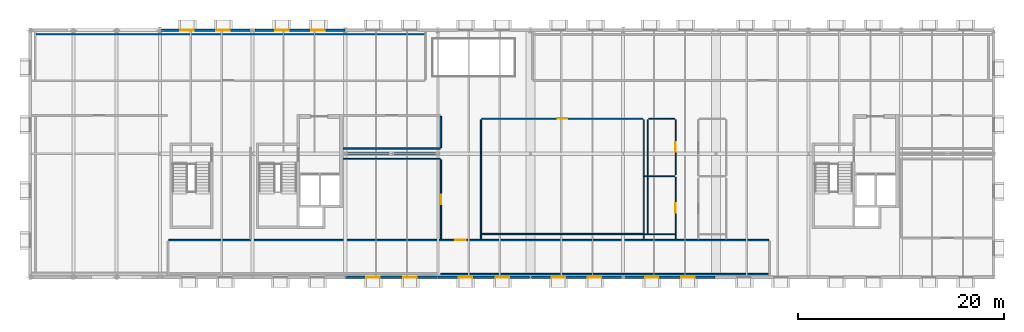
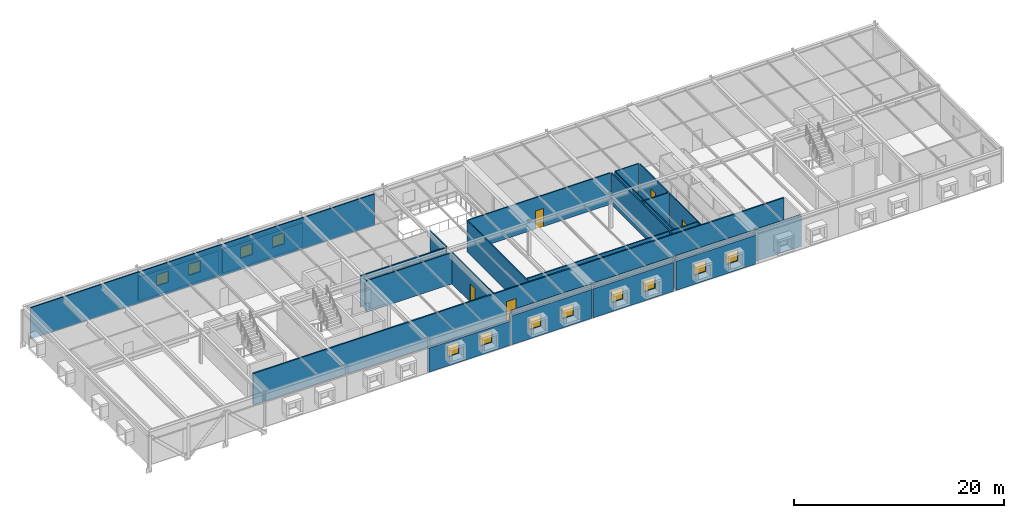
# One storey, part 12 of 17: 25 walls, 12 windows, 5 doors, 17 openings.
"""IFC4 building model written with IfcOpenShell, lengths in metres."""

import ifcopenshell
import ifcopenshell.guid

model = None  # the IFC model being written
_history = None  # IfcOwnerHistory: only IFC2X3 demands one
_inside = {}  # id of a spatial element -> (the spatial element, [elements in it])
_under = {}  # id of a project, library or spatial element -> (it, [spatial elements below it])
_declared = {}  # id of a project -> (the project, [libraries it declares])
_typed = {}  # id of a type object -> (the type object, [elements of that type])
_made_of = {}  # id of a material, layer set ... -> (it, [elements and type objects made of it])


def new_model(schema):
    """Start an empty IFC model of exactly this schema.

    Asked for "IFC4X3", IfcOpenShell would pick the latest addendum, in which some entities
    have other attributes; the version numbers below select the first issue.
    IFC2X3 requires an IfcOwnerHistory on every rooted entity: one is made here for all.
    """
    global model, _history
    if schema == "IFC4X3":
        model = ifcopenshell.file(schema_version=(4, 3, 0, 0))
    else:
        model = ifcopenshell.file(schema=schema)
    _inside.clear()
    _under.clear()
    _declared.clear()
    _typed.clear()
    _made_of.clear()
    _history = None
    if model.schema == "IFC2X3":
        org = make("IfcOrganization", Name="unknown")
        user = make(
            "IfcPersonAndOrganization",
            ThePerson=make("IfcPerson", FamilyName="unknown"),
            TheOrganization=org,
        )
        app = make(
            "IfcApplication",
            ApplicationDeveloper=org,
            Version="unknown",
            ApplicationFullName="unknown",
            ApplicationIdentifier="unknown",
        )
        _history = make(
            "IfcOwnerHistory",
            OwningUser=user,
            OwningApplication=app,
            ChangeAction="ADDED",
            CreationDate=0,
        )
    return model


def make(cls, **values):
    """One entity of the class cls with the attributes given. An attribute that is None is left unset."""
    return model.create_entity(
        cls, **{name: value for name, value in values.items() if value is not None}
    )


def rooted(cls, **values):
    """An entity with a GlobalId (a new one), such as an element, a storey or a relation."""
    return make(cls, GlobalId=ifcopenshell.guid.new(), OwnerHistory=_history, **values)


def si_unit(unit_type, name, prefix=None):
    """IfcSIUnit, for example si_unit("LENGTHUNIT", "METRE", prefix="MILLI")."""
    return make("IfcSIUnit", UnitType=unit_type, Prefix=prefix, Name=name)


def assignment(units):
    """IfcUnitAssignment: the units of a project."""
    return None if units is None else make("IfcUnitAssignment", Units=units)


def point(xyz):
    """IfcCartesianPoint."""
    return None if xyz is None else make("IfcCartesianPoint", Coordinates=xyz)


def direction(xyz):
    """IfcDirection."""
    return None if xyz is None else make("IfcDirection", DirectionRatios=xyz)


def frame(location, z_axis=None, x_axis=None):
    """IfcAxis2Placement3D, a coordinate frame: its origin and axes. An axis left out is left unset."""
    return make(
        "IfcAxis2Placement3D",
        Location=point(location),
        Axis=direction(z_axis),
        RefDirection=direction(x_axis),
    )


def frame_2d(location, x_axis=None):
    """IfcAxis2Placement2D, a coordinate frame in the plane: its origin and x axis."""
    return make(
        "IfcAxis2Placement2D", Location=point(location), RefDirection=direction(x_axis)
    )


def origin():
    """The frame at (0, 0, 0) with its axes left unset."""
    return frame((0.0, 0.0, 0.0))


def place(relative_to, where):
    """IfcLocalPlacement: puts the frame where relative to a parent placement (None: the world)."""
    return make(
        "IfcLocalPlacement", PlacementRelTo=relative_to, RelativePlacement=where
    )


def context(
    kind, dimensions, precision=None, world=None, true_north=None, identifier=None
):
    """IfcGeometricRepresentationContext, for example the 3D "Model" context."""
    return make(
        "IfcGeometricRepresentationContext",
        ContextIdentifier=identifier,
        ContextType=kind,
        CoordinateSpaceDimension=dimensions,
        Precision=precision,
        WorldCoordinateSystem=world,
        TrueNorth=true_north,
    )


def subcontext(parent, identifier, kind, view, scale=None):
    """IfcGeometricRepresentationSubContext, for example "Body" below "Model"."""
    return make(
        "IfcGeometricRepresentationSubContext",
        ContextIdentifier=identifier,
        ContextType=kind,
        ParentContext=parent,
        TargetScale=scale,
        TargetView=view,
    )


def project(units=None, contexts=None):
    """IfcProject with its units and contexts."""
    return rooted(
        "IfcProject",
        Name="project",
        RepresentationContexts=contexts,
        UnitsInContext=assignment(units),
    )


def spatial(cls, under=None, at=None, **own):
    """A site, building, storey or space (cls), placed at a placement, below another one or the project."""
    s = rooted(cls, ObjectPlacement=at, **own)
    if under is not None:
        _under.setdefault(under.id(), (under, []))[1].append(s)
    return s


def profile(cls, at=None, kind="AREA", **sizes):
    """A parametric profile (cls). Its sizes go by their IFC names, for example OverallWidth=200.0."""
    return make(cls, ProfileType=kind, Position=at, **sizes)


def rectangle(**sizes):
    """IfcRectangleProfileDef."""
    return profile("IfcRectangleProfileDef", **sizes)


def extrude(swept, where, along, depth):
    """IfcExtrudedAreaSolid: the profile swept, set in the frame where, extruded along a direction by depth."""
    return make(
        "IfcExtrudedAreaSolid",
        SweptArea=swept,
        Position=where,
        ExtrudedDirection=direction(along),
        Depth=depth,
    )


def shape(context_of_items, identifier, shape_type, items):
    """IfcShapeRepresentation: the items that make up one representation, for example the "Body"."""
    return make(
        "IfcShapeRepresentation",
        ContextOfItems=context_of_items,
        RepresentationIdentifier=identifier,
        RepresentationType=shape_type,
        Items=items,
    )


def material(Name=None, Category=None):
    """IfcMaterial."""
    return make("IfcMaterial", Name=Name, Category=Category)


def layer(
    of_material, thickness, ventilated=None, Name=None, Category=None, Priority=None
):
    """IfcMaterialLayer: one layer of a wall or slab, of a material (None: an air gap)."""
    return make(
        "IfcMaterialLayer",
        Material=of_material,
        LayerThickness=thickness,
        IsVentilated=ventilated,
        Name=Name,
        Category=Category,
        Priority=Priority,
    )


def layer_set(layers, Name=None):
    """IfcMaterialLayerSet."""
    return make("IfcMaterialLayerSet", MaterialLayers=layers, LayerSetName=Name)


def made_of(thing, what):
    """Note that an element or type object is made of a material, layer set ...; save() writes the relation."""
    if what is not None:
        _made_of.setdefault(what.id(), (what, []))[1].append(thing)
    return thing


def type_object(cls, material=None, **own):
    """A type object (cls), such as IfcWallType, which elements share."""
    return made_of(rooted(cls, **own), material)


def element(
    cls,
    number,
    at=None,
    inside=None,
    cuts=None,
    type_object=None,
    material=None,
    context=None,
    identifier="Body",
    shape_type=None,
    held_by="IfcProductDefinitionShape",
    body=None,
    shapes=None,
    **own,
):
    """One element of the class cls, such as IfcWall. Its Tag is "e" and its number.

    at: its placement. inside: the storey or other place that contains it. cuts: it is an
    opening in that element (IfcRelVoidsElement). A single representation is given by context,
    identifier, shape_type and body (its items); several are given by shapes. held_by: the class
    of the entity that holds the representations. save() writes the other relations.
    """
    e = rooted(cls, Tag="e%d" % number, ObjectPlacement=at, **own)
    if body is not None:
        shapes = [shape(context, identifier, shape_type, body)]
    if shapes is not None:
        e.Representation = make(held_by, Representations=shapes)
    if inside is not None:
        _inside.setdefault(inside.id(), (inside, []))[1].append(e)
    if cuts is not None:
        rooted(
            "IfcRelVoidsElement", RelatingBuildingElement=cuts, RelatedOpeningElement=e
        )
    if type_object is not None:
        _typed.setdefault(type_object.id(), (type_object, []))[1].append(e)
    return made_of(e, material)


def fill(opening, filler):
    """IfcRelFillsElement: the door or window that sits in an opening."""
    return rooted(
        "IfcRelFillsElement",
        RelatingOpeningElement=opening,
        RelatedBuildingElement=filler,
    )


def aggregate(whole, parts):
    """IfcRelAggregates: a whole, such as a stair, and the parts it consists of."""
    return rooted("IfcRelAggregates", RelatingObject=whole, RelatedObjects=parts)


def save(model, path):
    """Write the relations noted so far, then the file.

    IfcRelAggregates (storeys below a building ...), IfcRelContainedInSpatialStructure (elements
    in a storey), IfcRelDefinesByType, IfcRelAssociatesMaterial and IfcRelDeclares: one each for
    every whole, place, type object, material and project.
    """
    for whole, parts in _under.values():
        aggregate(whole, parts)
    for where, things in _inside.values():
        rooted(
            "IfcRelContainedInSpatialStructure",
            RelatedElements=things,
            RelatingStructure=where,
        )
    for kind, things in _typed.values():
        rooted("IfcRelDefinesByType", RelatedObjects=things, RelatingType=kind)
    for what, things in _made_of.values():
        rooted("IfcRelAssociatesMaterial", RelatedObjects=things, RelatingMaterial=what)
    for by, libraries in _declared.values():
        rooted("IfcRelDeclares", RelatingContext=by, RelatedDefinitions=libraries)
    model.write(path)


model = new_model("IFC4")

# Units and contexts
model_context = context("Model", 3, precision=1e-05, world=origin(), true_north=direction((0.0, 1.0)))
body_context = subcontext(model_context, "Body", "Model", "MODEL_VIEW")
ifc_project = project(units=[si_unit("LENGTHUNIT", "METRE"), si_unit("AREAUNIT", "SQUARE_METRE"), si_unit("VOLUMEUNIT", "CUBIC_METRE"), si_unit("PLANEANGLEUNIT", "RADIAN"), si_unit("MASSUNIT", "GRAM", prefix="KILO")], contexts=[model_context])

# Site, building, storey
site_placement = place(None, origin())
site = spatial("IfcSite", under=ifc_project, at=site_placement, CompositionType="ELEMENT")
building_placement = place(site_placement, origin())
building = spatial("IfcBuilding", under=site, at=building_placement, Name="Montelvaro Courts of Justice", CompositionType="ELEMENT")
storey_placement = place(building_placement, frame((0.0, 0.0, 31.39990234375)))
storey = spatial("IfcBuildingStorey", under=building, at=storey_placement, Name="L07", CompositionType="ELEMENT", Elevation=31.39990234375)

# Wall, opening, door
ifc_material_1 = material(Name="Gypsum board on metal stud")
ifc_layer_1 = layer(ifc_material_1, 0.14990234375)
ifc_layer_set_1 = layer_set([ifc_layer_1], Name="Gypsum board on metal stud")
wall_type_1 = type_object("IfcWallType", Name="ChambersPartition_150", PredefinedType="PARTITIONING", material=ifc_layer_set_1)
wall_1_placement = place(storey_placement, frame((45.8798828125, 3.60009765625, 0.0), z_axis=(0.0, 0.0, 1.0), x_axis=(1.0, 0.0, 0.0)))
wall_1 = element("IfcWall", 1, at=wall_1_placement, inside=storey, type_object=wall_type_1, Name="Interior Partition IW-04 (L07)", PredefinedType="PARTITIONING", context=body_context, shape_type="SweptSolid", body=[
    extrude(rectangle(XDim=58.240234375, YDim=0.14990234375, at=frame_2d((29.1201171875, 0.0))), origin(), (0.0, 0.0, 1.0), 3.64013671875),
])
opening_1_placement = place(wall_1_placement, frame((27.794921875, 0.0, 0.0)))
opening_1 = element("IfcOpeningElement", 2, at=opening_1_placement, cuts=wall_1, Name="Opening D-L07-177", PredefinedType="OPENING", context=body_context, shape_type="SweptSolid", body=[
    extrude(rectangle(XDim=1.050048828125, YDim=2.25, at=frame_2d((0.52490234375, 1.125))), frame((0.0, 0.08984375, 0.0), z_axis=(0.0, -1.0, 0.0), x_axis=(1.0, 0.0, 0.0)), (0.0, 0.0, 1.0), 0.1796875),
])
ifc_material_2 = material(Name="Acoustic oak timber veneer", Category="wood")
door_type_1 = type_object("IfcDoorType", Name="ChamberDoor_105x225", OperationType="NOTDEFINED", PredefinedType="DOOR", material=ifc_material_2)
door_1_placement = place(opening_1_placement, frame((1.050048828125, 0.0, 0.0), z_axis=(0.0, 0.0, 1.0), x_axis=(-1.0, 0.0, 0.0)))
door_1 = element("IfcDoor", 3, at=door_1_placement, inside=storey, type_object=door_type_1, Name="Interior Door D-L07-177 (South Appellate Gallery L07)", OperationType="SINGLE_SWING_RIGHT", OverallHeight=2.25, OverallWidth=1.050048828125, PredefinedType="DOOR", context=body_context, shape_type="SweptSolid", body=[
    extrude(rectangle(XDim=1.050048828125, YDim=2.25, at=frame_2d((0.52490234375, 1.125))), frame((0.0, 0.02490234375, 0.0), z_axis=(0.0, -1.0, 0.0), x_axis=(1.0, 0.0, 0.0)), (0.0, 0.0, 1.0), 0.050048828125),
])
fill(opening_1, door_1)

# Walls
wall_2_placement = place(storey_placement, frame((104.1298828125, 0.300048828125, 0.0), z_axis=(0.0, 0.0, 1.0), x_axis=(-1.0, 0.0, 0.0)))
element("IfcWall", 4, at=wall_2_placement, inside=storey, type_object=wall_type_1, Name="Interior Partition IW-04 (L07)", PredefinedType="PARTITIONING", context=body_context, shape_type="SweptSolid", body=[
    extrude(rectangle(XDim=31.850830078125, YDim=0.14990234375, at=frame_2d((15.92529296875, 0.0))), origin(), (0.0, 0.0, 1.0), 3.64013671875),
])
wall_3_placement = place(storey_placement, frame((72.300048828125, 15.6201171875, 0.0), z_axis=(0.0, 0.0, 1.0), x_axis=(0.0, -1.0, 0.0)))
element("IfcWall", 5, at=wall_3_placement, inside=storey, type_object=wall_type_1, Name="Interior Partition IW-04 (L07)", PredefinedType="PARTITIONING", context=body_context, shape_type="SweptSolid", body=[
    extrude(rectangle(XDim=3.0400390625, YDim=0.14990234375, at=frame_2d((1.52001953125, 0.0))), origin(), (0.0, 0.0, 1.0), 3.64013671875),
])
wall_4_placement = place(storey_placement, frame((72.219970703125, 12.5, 0.0), z_axis=(0.0, 0.0, 1.0), x_axis=(-1.0, 0.0, 0.0)))
element("IfcWall", 6, at=wall_4_placement, inside=storey, type_object=wall_type_1, Name="Interior Partition IW-04 (L07)", PredefinedType="PARTITIONING", context=body_context, shape_type="SweptSolid", body=[
    extrude(rectangle(XDim=9.425048828125, YDim=0.14990234375, at=frame_2d((4.71240234375, 0.0))), origin(), (0.0, 0.0, 1.0), 3.64013671875),
])

# Wall, openings, windows
ifc_material_3 = material(Name="White mineral precast concrete C45/55", Category="concrete")
ifc_layer_2 = layer(ifc_material_3, 0.280029296875)
ifc_layer_set_2 = layer_set([ifc_layer_2], Name="White mineral precast concrete C45/55")
wall_type_2 = type_object("IfcWallType", Name="ExtWall_GFRC_280", PredefinedType="SOLIDWALL", material=ifc_layer_set_2)
wall_5_placement = place(storey_placement, frame((63.008056640625, 0.0, 0.0), z_axis=(0.0, 0.0, 1.0), x_axis=(1.0, 0.0, 0.0)))
wall_5 = element("IfcWall", 7, at=wall_5_placement, inside=storey, type_object=wall_type_2, Name="Exterior Facade Wall EW-01 (L07)", PredefinedType="SOLIDWALL", context=body_context, shape_type="SweptSolid", body=[
    extrude(rectangle(XDim=8.98388671875, YDim=0.280029296875, at=frame_2d((4.491943359375, 0.0))), origin(), (0.0, 0.0, 1.0), 2.787109375),
])
opening_2_placement = place(wall_5_placement, frame((2.044921875, 0.0, 1.050048828125)))
opening_2 = element("IfcOpeningElement", 8, at=opening_2_placement, cuts=wall_5, Name="Opening WE-18", PredefinedType="OPENING", context=body_context, shape_type="SweptSolid", body=[
    extrude(rectangle(XDim=1.300048828125, YDim=1.300048828125, at=frame_2d((0.64990234375, 0.64990234375))), frame((0.0, 0.15478515625, 0.0), z_axis=(0.0, -1.0, 0.0), x_axis=(1.0, 0.0, 0.0)), (0.0, 0.0, 1.0), 0.309814453125),
])
opening_3_placement = place(wall_5_placement, frame((5.638916015625, 0.0, 1.050048828125)))
opening_3 = element("IfcOpeningElement", 9, at=opening_3_placement, cuts=wall_5, Name="Opening WE-18", PredefinedType="OPENING", context=body_context, shape_type="SweptSolid", body=[
    extrude(rectangle(XDim=1.300048828125, YDim=1.300048828125, at=frame_2d((0.64990234375, 0.64990234375))), frame((0.0, 0.15478515625, 0.0), z_axis=(0.0, -1.0, 0.0), x_axis=(1.0, 0.0, 0.0)), (0.0, 0.0, 1.0), 0.309814453125),
])
ifc_material_4 = material(Name="Low-E solar control double glazing", Category="glass")
window_type = type_object("IfcWindowType", Name="Win_Sq_130x130", PartitioningType="SINGLE_PANEL", PredefinedType="WINDOW", material=ifc_material_4)
window_1_placement = place(opening_2_placement, origin())
window_1 = element("IfcWindow", 10, at=window_1_placement, inside=storey, type_object=window_type, Name="Window W-L07-330", OverallHeight=1.300048828125, OverallWidth=1.300048828125, PartitioningType="SINGLE_PANEL", PredefinedType="WINDOW", context=body_context, shape_type="SweptSolid", body=[
    extrude(rectangle(XDim=1.300048828125, YDim=1.300048828125, at=frame_2d((0.64990234375, 0.64990234375))), frame((0.0, 0.030029296875, 0.0), z_axis=(0.0, -1.0, 0.0), x_axis=(1.0, 0.0, 0.0)), (0.0, 0.0, 1.0), 0.06005859375),
])
fill(opening_2, window_1)
window_2_placement = place(opening_3_placement, origin())
window_2 = element("IfcWindow", 11, at=window_2_placement, inside=storey, type_object=window_type, Name="Window W-L07-331", OverallHeight=1.300048828125, OverallWidth=1.300048828125, PartitioningType="SINGLE_PANEL", PredefinedType="WINDOW", context=body_context, shape_type="SweptSolid", body=[
    extrude(rectangle(XDim=1.300048828125, YDim=1.300048828125, at=frame_2d((0.64990234375, 0.64990234375))), frame((0.0, 0.030029296875, 0.0), z_axis=(0.0, -1.0, 0.0), x_axis=(1.0, 0.0, 0.0)), (0.0, 0.0, 1.0), 0.06005859375),
])
fill(opening_3, window_2)

wall_6_placement = place(storey_placement, frame((72.008056640625, 0.0, 0.0), z_axis=(0.0, 0.0, 1.0), x_axis=(1.0, 0.0, 0.0)))
wall_6 = element("IfcWall", 12, at=wall_6_placement, inside=storey, type_object=wall_type_2, Name="Exterior Facade Wall EW-01 (L07)", PredefinedType="SOLIDWALL", context=body_context, shape_type="SweptSolid", body=[
    extrude(rectangle(XDim=8.933837890625, YDim=0.280029296875, at=frame_2d((4.466796875, 0.0))), origin(), (0.0, 0.0, 1.0), 3.35498046875),
])
opening_4_placement = place(wall_6_placement, frame((2.030029296875, 0.0, 1.050048828125)))
opening_4 = element("IfcOpeningElement", 13, at=opening_4_placement, cuts=wall_6, Name="Opening WE-18", PredefinedType="OPENING", context=body_context, shape_type="SweptSolid", body=[
    extrude(rectangle(XDim=1.300048828125, YDim=1.300048828125, at=frame_2d((0.64990234375, 0.64990234375))), frame((0.0, 0.15478515625, 0.0), z_axis=(0.0, -1.0, 0.0), x_axis=(1.0, 0.0, 0.0)), (0.0, 0.0, 1.0), 0.309814453125),
])
opening_5_placement = place(wall_6_placement, frame((5.60400390625, 0.0, 1.050048828125)))
opening_5 = element("IfcOpeningElement", 14, at=opening_5_placement, cuts=wall_6, Name="Opening WE-18", PredefinedType="OPENING", context=body_context, shape_type="SweptSolid", body=[
    extrude(rectangle(XDim=1.300048828125, YDim=1.300048828125, at=frame_2d((0.64990234375, 0.64990234375))), frame((0.0, 0.15478515625, 0.0), z_axis=(0.0, -1.0, 0.0), x_axis=(1.0, 0.0, 0.0)), (0.0, 0.0, 1.0), 0.309814453125),
])
window_3_placement = place(opening_4_placement, origin())
window_3 = element("IfcWindow", 15, at=window_3_placement, inside=storey, type_object=window_type, Name="Window W-L07-332", OverallHeight=1.300048828125, OverallWidth=1.300048828125, PartitioningType="SINGLE_PANEL", PredefinedType="WINDOW", context=body_context, shape_type="SweptSolid", body=[
    extrude(rectangle(XDim=1.300048828125, YDim=1.300048828125, at=frame_2d((0.64990234375, 0.64990234375))), frame((0.0, 0.030029296875, 0.0), z_axis=(0.0, -1.0, 0.0), x_axis=(1.0, 0.0, 0.0)), (0.0, 0.0, 1.0), 0.06005859375),
])
fill(opening_4, window_3)
window_4_placement = place(opening_5_placement, origin())
window_4 = element("IfcWindow", 16, at=window_4_placement, inside=storey, type_object=window_type, Name="Window W-L07-333", OverallHeight=1.300048828125, OverallWidth=1.300048828125, PartitioningType="SINGLE_PANEL", PredefinedType="WINDOW", context=body_context, shape_type="SweptSolid", body=[
    extrude(rectangle(XDim=1.300048828125, YDim=1.300048828125, at=frame_2d((0.64990234375, 0.64990234375))), frame((0.0, 0.030029296875, 0.0), z_axis=(0.0, -1.0, 0.0), x_axis=(1.0, 0.0, 0.0)), (0.0, 0.0, 1.0), 0.06005859375),
])
fill(opening_5, window_4)

wall_7_placement = place(storey_placement, frame((62.991943359375, 24.0, 0.0), z_axis=(0.0, 0.0, 1.0), x_axis=(-1.0, 0.0, 0.0)))
wall_7 = element("IfcWall", 17, at=wall_7_placement, inside=storey, type_object=wall_type_2, Name="Exterior Facade Wall EW-01 (L07)", PredefinedType="SOLIDWALL", context=body_context, shape_type="SweptSolid", body=[
    extrude(rectangle(XDim=8.76904296875, YDim=0.280029296875, at=frame_2d((4.384521484375, 0.0))), origin(), (0.0, 0.0, 1.0), 2.787109375),
])
opening_6_placement = place(wall_7_placement, frame((1.98095703125, 0.0, 1.050048828125)))
opening_6 = element("IfcOpeningElement", 18, at=opening_6_placement, cuts=wall_7, Name="Opening WE-18", PredefinedType="OPENING", context=body_context, shape_type="SweptSolid", body=[
    extrude(rectangle(XDim=1.300048828125, YDim=1.300048828125, at=frame_2d((0.64990234375, 0.64990234375))), frame((0.0, 0.15478515625, 0.0), z_axis=(0.0, -1.0, 0.0), x_axis=(1.0, 0.0, 0.0)), (0.0, 0.0, 1.0), 0.309814453125),
])
opening_7_placement = place(wall_7_placement, frame((5.488037109375, 0.0, 1.050048828125)))
opening_7 = element("IfcOpeningElement", 19, at=opening_7_placement, cuts=wall_7, Name="Opening WE-18", PredefinedType="OPENING", context=body_context, shape_type="SweptSolid", body=[
    extrude(rectangle(XDim=1.300048828125, YDim=1.300048828125, at=frame_2d((0.64990234375, 0.64990234375))), frame((0.0, 0.15478515625, 0.0), z_axis=(0.0, -1.0, 0.0), x_axis=(1.0, 0.0, 0.0)), (0.0, 0.0, 1.0), 0.309814453125),
])
window_5_placement = place(opening_6_placement, origin())
window_5 = element("IfcWindow", 20, at=window_5_placement, inside=storey, type_object=window_type, Name="Window W-L07-338", OverallHeight=1.300048828125, OverallWidth=1.300048828125, PartitioningType="SINGLE_PANEL", PredefinedType="WINDOW", context=body_context, shape_type="SweptSolid", body=[
    extrude(rectangle(XDim=1.300048828125, YDim=1.300048828125, at=frame_2d((0.64990234375, 0.64990234375))), frame((0.0, 0.030029296875, 0.0), z_axis=(0.0, -1.0, 0.0), x_axis=(1.0, 0.0, 0.0)), (0.0, 0.0, 1.0), 0.06005859375),
])
fill(opening_6, window_5)
window_6_placement = place(opening_7_placement, origin())
window_6 = element("IfcWindow", 21, at=window_6_placement, inside=storey, type_object=window_type, Name="Window W-L07-339", OverallHeight=1.300048828125, OverallWidth=1.300048828125, PartitioningType="SINGLE_PANEL", PredefinedType="WINDOW", context=body_context, shape_type="SweptSolid", body=[
    extrude(rectangle(XDim=1.300048828125, YDim=1.300048828125, at=frame_2d((0.64990234375, 0.64990234375))), frame((0.0, 0.030029296875, 0.0), z_axis=(0.0, -1.0, 0.0), x_axis=(1.0, 0.0, 0.0)), (0.0, 0.0, 1.0), 0.06005859375),
])
fill(opening_7, window_6)

wall_8_placement = place(storey_placement, frame((53.777099609375, 24.0, 0.0), z_axis=(0.0, 0.0, 1.0), x_axis=(-1.0, 0.0, 0.0)))
wall_8 = element("IfcWall", 22, at=wall_8_placement, inside=storey, type_object=wall_type_2, Name="Exterior Facade Wall EW-01 (L07)", PredefinedType="SOLIDWALL", context=body_context, shape_type="SweptSolid", body=[
    extrude(rectangle(XDim=8.76904296875, YDim=0.280029296875, at=frame_2d((4.384521484375, 0.0))), origin(), (0.0, 0.0, 1.0), 2.787109375),
])
opening_8_placement = place(wall_8_placement, frame((1.98095703125, 0.0, 1.050048828125)))
opening_8 = element("IfcOpeningElement", 23, at=opening_8_placement, cuts=wall_8, Name="Opening WE-18", PredefinedType="OPENING", context=body_context, shape_type="SweptSolid", body=[
    extrude(rectangle(XDim=1.300048828125, YDim=1.300048828125, at=frame_2d((0.64990234375, 0.64990234375))), frame((0.0, 0.15478515625, 0.0), z_axis=(0.0, -1.0, 0.0), x_axis=(1.0, 0.0, 0.0)), (0.0, 0.0, 1.0), 0.309814453125),
])
opening_9_placement = place(wall_8_placement, frame((5.488037109375, 0.0, 1.050048828125)))
opening_9 = element("IfcOpeningElement", 24, at=opening_9_placement, cuts=wall_8, Name="Opening WE-18", PredefinedType="OPENING", context=body_context, shape_type="SweptSolid", body=[
    extrude(rectangle(XDim=1.300048828125, YDim=1.300048828125, at=frame_2d((0.64990234375, 0.64990234375))), frame((0.0, 0.15478515625, 0.0), z_axis=(0.0, -1.0, 0.0), x_axis=(1.0, 0.0, 0.0)), (0.0, 0.0, 1.0), 0.309814453125),
])
window_7_placement = place(opening_8_placement, origin())
window_7 = element("IfcWindow", 25, at=window_7_placement, inside=storey, type_object=window_type, Name="Window W-L07-340", OverallHeight=1.300048828125, OverallWidth=1.300048828125, PartitioningType="SINGLE_PANEL", PredefinedType="WINDOW", context=body_context, shape_type="SweptSolid", body=[
    extrude(rectangle(XDim=1.300048828125, YDim=1.300048828125, at=frame_2d((0.64990234375, 0.64990234375))), frame((0.0, 0.030029296875, 0.0), z_axis=(0.0, -1.0, 0.0), x_axis=(1.0, 0.0, 0.0)), (0.0, 0.0, 1.0), 0.06005859375),
])
fill(opening_8, window_7)
window_8_placement = place(opening_9_placement, origin())
window_8 = element("IfcWindow", 26, at=window_8_placement, inside=storey, type_object=window_type, Name="Window W-L07-341", OverallHeight=1.300048828125, OverallWidth=1.300048828125, PartitioningType="SINGLE_PANEL", PredefinedType="WINDOW", context=body_context, shape_type="SweptSolid", body=[
    extrude(rectangle(XDim=1.300048828125, YDim=1.300048828125, at=frame_2d((0.64990234375, 0.64990234375))), frame((0.0, 0.030029296875, 0.0), z_axis=(0.0, -1.0, 0.0), x_axis=(1.0, 0.0, 0.0)), (0.0, 0.0, 1.0), 0.06005859375),
])
fill(opening_9, window_8)

wall_9_placement = place(storey_placement, frame((81.05810546875, 0.0, 0.0), z_axis=(0.0, 0.0, 1.0), x_axis=(1.0, 0.0, 0.0)))
wall_9 = element("IfcWall", 27, at=wall_9_placement, inside=storey, type_object=wall_type_2, Name="Exterior Facade Wall EW-01 (L07)", PredefinedType="SOLIDWALL", context=body_context, shape_type="SweptSolid", body=[
    extrude(rectangle(XDim=8.803955078125, YDim=0.280029296875, at=frame_2d((4.40185546875, 0.0))), origin(), (0.0, 0.0, 1.0), 3.35498046875),
])
opening_10_placement = place(wall_9_placement, frame((1.990966796875, 0.0, 1.050048828125)))
opening_10 = element("IfcOpeningElement", 28, at=opening_10_placement, cuts=wall_9, Name="Opening WE-18", PredefinedType="OPENING", context=body_context, shape_type="SweptSolid", body=[
    extrude(rectangle(XDim=1.300048828125, YDim=1.300048828125, at=frame_2d((0.64990234375, 0.64990234375))), frame((0.0, 0.15478515625, 0.0), z_axis=(0.0, -1.0, 0.0), x_axis=(1.0, 0.0, 0.0)), (0.0, 0.0, 1.0), 0.309814453125),
])
opening_11_placement = place(wall_9_placement, frame((5.512939453125, 0.0, 1.050048828125)))
opening_11 = element("IfcOpeningElement", 29, at=opening_11_placement, cuts=wall_9, Name="Opening WE-18", PredefinedType="OPENING", context=body_context, shape_type="SweptSolid", body=[
    extrude(rectangle(XDim=1.300048828125, YDim=1.300048828125, at=frame_2d((0.64990234375, 0.64990234375))), frame((0.0, 0.15478515625, 0.0), z_axis=(0.0, -1.0, 0.0), x_axis=(1.0, 0.0, 0.0)), (0.0, 0.0, 1.0), 0.309814453125),
])
window_9_placement = place(opening_10_placement, origin())
window_9 = element("IfcWindow", 30, at=window_9_placement, inside=storey, type_object=window_type, Name="Window W-L07-346", OverallHeight=1.300048828125, OverallWidth=1.300048828125, PartitioningType="SINGLE_PANEL", PredefinedType="WINDOW", context=body_context, shape_type="SweptSolid", body=[
    extrude(rectangle(XDim=1.300048828125, YDim=1.300048828125, at=frame_2d((0.64990234375, 0.64990234375))), frame((0.0, 0.030029296875, 0.0), z_axis=(0.0, -1.0, 0.0), x_axis=(1.0, 0.0, 0.0)), (0.0, 0.0, 1.0), 0.06005859375),
])
fill(opening_10, window_9)
window_10_placement = place(opening_11_placement, origin())
window_10 = element("IfcWindow", 31, at=window_10_placement, inside=storey, type_object=window_type, Name="Window W-L07-347", OverallHeight=1.300048828125, OverallWidth=1.300048828125, PartitioningType="SINGLE_PANEL", PredefinedType="WINDOW", context=body_context, shape_type="SweptSolid", body=[
    extrude(rectangle(XDim=1.300048828125, YDim=1.300048828125, at=frame_2d((0.64990234375, 0.64990234375))), frame((0.0, 0.030029296875, 0.0), z_axis=(0.0, -1.0, 0.0), x_axis=(1.0, 0.0, 0.0)), (0.0, 0.0, 1.0), 0.06005859375),
])
fill(opening_11, window_10)

wall_10_placement = place(storey_placement, frame((90.137939453125, 0.0, 0.0), z_axis=(0.0, 0.0, 1.0), x_axis=(1.0, 0.0, 0.0)))
wall_10 = element("IfcWall", 32, at=wall_10_placement, inside=storey, type_object=wall_type_2, Name="Exterior Facade Wall EW-01 (L07)", PredefinedType="SOLIDWALL", context=body_context, shape_type="SweptSolid", body=[
    extrude(rectangle(XDim=8.803955078125, YDim=0.280029296875, at=frame_2d((4.40185546875, 0.0))), origin(), (0.0, 0.0, 1.0), 3.35498046875),
])
opening_12_placement = place(wall_10_placement, frame((1.990966796875, 0.0, 1.050048828125)))
opening_12 = element("IfcOpeningElement", 33, at=opening_12_placement, cuts=wall_10, Name="Opening WE-18", PredefinedType="OPENING", context=body_context, shape_type="SweptSolid", body=[
    extrude(rectangle(XDim=1.300048828125, YDim=1.300048828125, at=frame_2d((0.64990234375, 0.64990234375))), frame((0.0, 0.15478515625, 0.0), z_axis=(0.0, -1.0, 0.0), x_axis=(1.0, 0.0, 0.0)), (0.0, 0.0, 1.0), 0.309814453125),
])
opening_13_placement = place(wall_10_placement, frame((5.512939453125, 0.0, 1.050048828125)))
opening_13 = element("IfcOpeningElement", 34, at=opening_13_placement, cuts=wall_10, Name="Opening WE-18", PredefinedType="OPENING", context=body_context, shape_type="SweptSolid", body=[
    extrude(rectangle(XDim=1.300048828125, YDim=1.300048828125, at=frame_2d((0.64990234375, 0.64990234375))), frame((0.0, 0.15478515625, 0.0), z_axis=(0.0, -1.0, 0.0), x_axis=(1.0, 0.0, 0.0)), (0.0, 0.0, 1.0), 0.309814453125),
])
window_11_placement = place(opening_12_placement, origin())
window_11 = element("IfcWindow", 35, at=window_11_placement, inside=storey, type_object=window_type, Name="Window W-L07-348", OverallHeight=1.300048828125, OverallWidth=1.300048828125, PartitioningType="SINGLE_PANEL", PredefinedType="WINDOW", context=body_context, shape_type="SweptSolid", body=[
    extrude(rectangle(XDim=1.300048828125, YDim=1.300048828125, at=frame_2d((0.64990234375, 0.64990234375))), frame((0.0, 0.030029296875, 0.0), z_axis=(0.0, -1.0, 0.0), x_axis=(1.0, 0.0, 0.0)), (0.0, 0.0, 1.0), 0.06005859375),
])
fill(opening_12, window_11)
window_12_placement = place(opening_13_placement, origin())
window_12 = element("IfcWindow", 36, at=window_12_placement, inside=storey, type_object=window_type, Name="Window W-L07-349", OverallHeight=1.300048828125, OverallWidth=1.300048828125, PartitioningType="SINGLE_PANEL", PredefinedType="WINDOW", context=body_context, shape_type="SweptSolid", body=[
    extrude(rectangle(XDim=1.300048828125, YDim=1.300048828125, at=frame_2d((0.64990234375, 0.64990234375))), frame((0.0, 0.030029296875, 0.0), z_axis=(0.0, -1.0, 0.0), x_axis=(1.0, 0.0, 0.0)), (0.0, 0.0, 1.0), 0.06005859375),
])
fill(opening_13, window_12)

# Wall
ifc_layer_3 = layer(ifc_material_1, 0.1201171875)
ifc_layer_set_3 = layer_set([ifc_layer_3], Name="Gypsum board on metal stud")
wall_type_3 = type_object("IfcWallType", Name="OfficePartition_120", PredefinedType="PARTITIONING", material=ifc_layer_set_3)
wall_11_placement = place(storey_placement, frame((62.794921875, 11.5, 0.0), z_axis=(0.0, 0.0, 1.0), x_axis=(1.0, 0.0, 0.0)))
element("IfcWall", 37, at=wall_11_placement, inside=storey, type_object=wall_type_3, Name="Interior Partition IW-05 (L07)", PredefinedType="PARTITIONING", context=body_context, shape_type="SweptSolid", body=[
    extrude(rectangle(XDim=9.425048828125, YDim=0.1201171875, at=frame_2d((4.71240234375, 0.0))), origin(), (0.0, 0.0, 1.0), 3.64013671875),
])

# Wall, opening, door
wall_12_placement = place(storey_placement, frame((72.300048828125, 11.419921875, 0.0), z_axis=(0.0, 0.0, 1.0), x_axis=(0.0, -1.0, 0.0)))
wall_12 = element("IfcWall", 38, at=wall_12_placement, inside=storey, type_object=wall_type_3, Name="Interior Partition IW-05 (L07)", PredefinedType="PARTITIONING", context=body_context, shape_type="SweptSolid", body=[
    extrude(rectangle(XDim=7.75, YDim=0.1201171875, at=frame_2d((3.875, 0.0))), origin(), (0.0, 0.0, 1.0), 3.64013671875),
])
opening_14_placement = place(wall_12_placement, frame((3.425048828125, 0.0, 0.0)))
opening_14 = element("IfcOpeningElement", 39, at=opening_14_placement, cuts=wall_12, Name="Opening D-L07-179", PredefinedType="OPENING", context=body_context, shape_type="SweptSolid", body=[
    extrude(rectangle(XDim=0.89990234375, YDim=2.10009765625, at=frame_2d((0.449951171875, 1.050048828125))), frame((0.0, 0.074951171875, 0.0), z_axis=(0.0, -1.0, 0.0), x_axis=(1.0, 0.0, 0.0)), (0.0, 0.0, 1.0), 0.14990234375),
])
door_type_2 = type_object("IfcDoorType", Name="OfficeDoor_090x210", OperationType="NOTDEFINED", PredefinedType="DOOR", material=ifc_material_2)
door_2_placement = place(opening_14_placement, frame((0.89990234375, 0.0, 0.0), z_axis=(0.0, 0.0, 1.0), x_axis=(-1.0, 0.0, 0.0)))
door_2 = element("IfcDoor", 40, at=door_2_placement, inside=storey, type_object=door_type_2, Name="Interior Door D-L07-179 (Appellate Magistrates' Chambers Central L07)", OperationType="SINGLE_SWING_RIGHT", OverallHeight=2.10009765625, OverallWidth=0.89990234375, PredefinedType="DOOR", context=body_context, shape_type="SweptSolid", body=[
    extrude(rectangle(XDim=0.89990234375, YDim=2.10009765625, at=frame_2d((0.449951171875, 1.050048828125))), frame((0.0, 0.02490234375, 0.0), z_axis=(0.0, -1.0, 0.0), x_axis=(1.0, 0.0, 0.0)), (0.0, 0.0, 1.0), 0.050048828125),
])
fill(opening_14, door_2)

# Walls
wall_13_placement = place(storey_placement, frame((32.955078125, 23.60009765625, 0.0), z_axis=(0.0, 0.0, 1.0), x_axis=(1.0, 0.0, 0.0)))
element("IfcWall", 41, at=wall_13_placement, inside=storey, type_object=wall_type_3, Name="Interior Partition IW-05 (L07)", PredefinedType="PARTITIONING", context=body_context, shape_type="SweptSolid", body=[
    extrude(rectangle(XDim=37.7900390625, YDim=0.1201171875, at=frame_2d((18.89501953125, 0.0))), origin(), (0.0, 0.0, 1.0), 3.64013671875),
])
wall_14_placement = place(storey_placement, frame((91.919921875, 4.199951171875, 0.0), z_axis=(0.0, 0.0, 1.0), x_axis=(-1.0, 0.0, 0.0)))
element("IfcWall", 42, at=wall_14_placement, inside=storey, type_object=wall_type_3, Name="Interior Partition IW-05 (L07)", PredefinedType="PARTITIONING", context=body_context, shape_type="SweptSolid", body=[
    extrude(rectangle(XDim=15.639892578125, YDim=0.1201171875, at=frame_2d((7.81982421875, 0.0))), origin(), (0.0, 0.0, 1.0), 3.64013671875),
])
wall_15_placement = place(storey_placement, frame((76.199951171875, 3.669921875, 0.0), z_axis=(0.0, 0.0, 1.0), x_axis=(0.0, 1.0, 0.0)))
element("IfcWall", 43, at=wall_15_placement, inside=storey, type_object=wall_type_3, Name="Interior Partition IW-05 (L07)", PredefinedType="PARTITIONING", context=body_context, shape_type="SweptSolid", body=[
    extrude(rectangle(XDim=11.650146484375, YDim=0.1201171875, at=frame_2d((5.8251953125, 0.0))), origin(), (0.0, 0.0, 1.0), 3.64013671875),
])

# Wall, opening, door
wall_16_placement = place(storey_placement, frame((76.280029296875, 15.39990234375, 0.0), z_axis=(0.0, 0.0, 1.0), x_axis=(1.0, 0.0, 0.0)))
wall_16 = element("IfcWall", 44, at=wall_16_placement, inside=storey, type_object=wall_type_3, Name="Interior Partition IW-05 (L07)", PredefinedType="PARTITIONING", context=body_context, shape_type="SweptSolid", body=[
    extrude(rectangle(XDim=15.639892578125, YDim=0.1201171875, at=frame_2d((7.81982421875, 0.0))), origin(), (0.0, 0.0, 1.0), 3.64013671875),
])
opening_15_placement = place(wall_16_placement, frame((7.3701171875, 0.0, 0.0)))
opening_15 = element("IfcOpeningElement", 45, at=opening_15_placement, cuts=wall_16, Name="Opening D-L07-183", PredefinedType="OPENING", context=body_context, shape_type="SweptSolid", body=[
    extrude(rectangle(XDim=0.89990234375, YDim=2.10009765625, at=frame_2d((0.449951171875, 1.050048828125))), frame((0.0, 0.074951171875, 0.0), z_axis=(0.0, -1.0, 0.0), x_axis=(1.0, 0.0, 0.0)), (0.0, 0.0, 1.0), 0.14990234375),
])
door_3_placement = place(opening_15_placement, frame((0.89990234375, 0.0, 0.0), z_axis=(0.0, 0.0, 1.0), x_axis=(-1.0, 0.0, 0.0)))
door_3 = element("IfcDoor", 46, at=door_3_placement, inside=storey, type_object=door_type_2, Name="Interior Door D-L07-183 (Jury Deliberation Suite 04)", OperationType="SINGLE_SWING_RIGHT", OverallHeight=2.10009765625, OverallWidth=0.89990234375, PredefinedType="DOOR", context=body_context, shape_type="SweptSolid", body=[
    extrude(rectangle(XDim=0.89990234375, YDim=2.10009765625, at=frame_2d((0.449951171875, 1.050048828125))), frame((0.0, 0.02490234375, 0.0), z_axis=(0.0, -1.0, 0.0), x_axis=(1.0, 0.0, 0.0)), (0.0, 0.0, 1.0), 0.050048828125),
])
fill(opening_15, door_3)

# Walls
wall_17_placement = place(storey_placement, frame((92.0, 15.320068359375, 0.0), z_axis=(0.0, 0.0, 1.0), x_axis=(0.0, -1.0, 0.0)))
element("IfcWall", 47, at=wall_17_placement, inside=storey, type_object=wall_type_3, Name="Interior Partition IW-05 (L07)", PredefinedType="PARTITIONING", context=body_context, shape_type="SweptSolid", body=[
    extrude(rectangle(XDim=11.650146484375, YDim=0.1201171875, at=frame_2d((5.8251953125, 0.0))), origin(), (0.0, 0.0, 1.0), 3.64013671875),
])
ifc_material_5 = material(Name="Concrete C35/45", Category="concrete")
ifc_layer_4 = layer(ifc_material_5, 0.239990234375)
ifc_layer_set_4 = layer_set([ifc_layer_4], Name="Concrete C35/45")
wall_type_4 = type_object("IfcWallType", Name="ShaftWall_240", PredefinedType="SHEAR", material=ifc_layer_set_4)
wall_18_placement = place(storey_placement, frame((63.008056640625, 12.0, 0.0), z_axis=(0.0, 0.0, 1.0), x_axis=(1.0, 0.0, 0.0)))
element("IfcWall", 48, at=wall_18_placement, inside=storey, type_object=wall_type_4, Name="Enclosed Braced Frame Structural Wall CBF1 (L07)", PredefinedType="SHEAR", context=body_context, shape_type="SweptSolid", body=[
    extrude(rectangle(XDim=8.864013671875, YDim=0.239990234375, at=frame_2d((4.43212890625, 0.0))), origin(), (0.0, 0.0, 1.0), 3.30517578125),
])
ifc_material_6 = material(Name="Moisture-resistant cement board")
ifc_layer_5 = layer(ifc_material_6, 0.10009765625)
ifc_layer_set_5 = layer_set([ifc_layer_5], Name="Moisture-resistant cement board")
wall_type_5 = type_object("IfcWallType", Name="WetWall_100", PredefinedType="PARTITIONING", material=ifc_layer_set_5)
wall_19_placement = place(storey_placement, frame((95.02001953125, 4.199951171875, 0.0), z_axis=(0.0, 0.0, 1.0), x_axis=(-1.0, 0.0, 0.0)))
element("IfcWall", 49, at=wall_19_placement, inside=storey, type_object=wall_type_5, Name="Interior Partition IW-06 (L07)", PredefinedType="PARTITIONING", context=body_context, shape_type="SweptSolid", body=[
    extrude(rectangle(XDim=2.965087890625, YDim=0.10009765625, at=frame_2d((1.482421875, 0.0))), origin(), (0.0, 0.0, 1.0), 3.64013671875),
])
wall_20_placement = place(storey_placement, frame((92.39990234375, 4.2451171875, 0.0), z_axis=(0.0, 0.0, 1.0), x_axis=(0.0, 1.0, 0.0)))
element("IfcWall", 50, at=wall_20_placement, inside=storey, type_object=wall_type_5, Name="Interior Partition IW-06 (L07)", PredefinedType="PARTITIONING", context=body_context, shape_type="SweptSolid", body=[
    extrude(rectangle(XDim=5.474853515625, YDim=0.10009765625, at=frame_2d((2.7373046875, 0.0))), origin(), (0.0, 0.0, 1.0), 3.64013671875),
])
wall_21_placement = place(storey_placement, frame((92.054931640625, 9.800048828125, 0.0), z_axis=(0.0, 0.0, 1.0), x_axis=(1.0, 0.0, 0.0)))
element("IfcWall", 51, at=wall_21_placement, inside=storey, type_object=wall_type_5, Name="Interior Partition IW-06 (L07)", PredefinedType="PARTITIONING", context=body_context, shape_type="SweptSolid", body=[
    extrude(rectangle(XDim=2.965087890625, YDim=0.10009765625, at=frame_2d((1.482421875, 0.0))), origin(), (0.0, 0.0, 1.0), 3.64013671875),
])

# Wall, opening, door
wall_22_placement = place(storey_placement, frame((95.10009765625, 9.719970703125, 0.0), z_axis=(0.0, 0.0, 1.0), x_axis=(0.0, -1.0, 0.0)))
wall_22 = element("IfcWall", 52, at=wall_22_placement, inside=storey, type_object=wall_type_5, Name="Interior Partition IW-06 (L07)", PredefinedType="PARTITIONING", context=body_context, shape_type="SweptSolid", body=[
    extrude(rectangle(XDim=6.050048828125, YDim=0.10009765625, at=frame_2d((3.02490234375, 0.0))), origin(), (0.0, 0.0, 1.0), 3.64013671875),
])
opening_16_placement = place(wall_22_placement, frame((2.529052734375, 0.0, 0.0)))
opening_16 = element("IfcOpeningElement", 53, at=opening_16_placement, cuts=wall_22, Name="Opening D-L07-186", PredefinedType="OPENING", context=body_context, shape_type="SweptSolid", body=[
    extrude(rectangle(XDim=0.89990234375, YDim=2.050048828125, at=frame_2d((0.449951171875, 1.02490234375))), frame((0.0, 0.06494140625, 0.0), z_axis=(0.0, -1.0, 0.0), x_axis=(1.0, 0.0, 0.0)), (0.0, 0.0, 1.0), 0.1298828125),
])
door_type_3 = type_object("IfcDoorType", Name="RestroomDoor_090x205", OperationType="NOTDEFINED", PredefinedType="DOOR", material=ifc_material_2)
door_4_placement = place(opening_16_placement, origin())
door_4 = element("IfcDoor", 54, at=door_4_placement, inside=storey, type_object=door_type_3, Name="Interior Door D-L07-186 (Seventh Floor Male Restroom)", OperationType="SINGLE_SWING_LEFT", OverallHeight=2.050048828125, OverallWidth=0.89990234375, PredefinedType="DOOR", context=body_context, shape_type="SweptSolid", body=[
    extrude(rectangle(XDim=0.89990234375, YDim=2.050048828125, at=frame_2d((0.449951171875, 1.02490234375))), frame((0.0, 0.02490234375, 0.0), z_axis=(0.0, -1.0, 0.0), x_axis=(1.0, 0.0, 0.0)), (0.0, 0.0, 1.0), 0.050048828125),
])
fill(opening_16, door_4)

# Wall
wall_23_placement = place(storey_placement, frame((92.47998046875, 15.39990234375, 0.0), z_axis=(0.0, 0.0, 1.0), x_axis=(1.0, 0.0, 0.0)))
element("IfcWall", 55, at=wall_23_placement, inside=storey, type_object=wall_type_5, Name="Interior Partition IW-06 (L07)", PredefinedType="PARTITIONING", context=body_context, shape_type="SweptSolid", body=[
    extrude(rectangle(XDim=2.5400390625, YDim=0.10009765625, at=frame_2d((1.27001953125, 0.0))), origin(), (0.0, 0.0, 1.0), 3.64013671875),
])

# Wall, opening, door
wall_24_placement = place(storey_placement, frame((95.10009765625, 15.320068359375, 0.0), z_axis=(0.0, 0.0, 1.0), x_axis=(0.0, -1.0, 0.0)))
wall_24 = element("IfcWall", 56, at=wall_24_placement, inside=storey, type_object=wall_type_5, Name="Interior Partition IW-06 (L07)", PredefinedType="PARTITIONING", context=body_context, shape_type="SweptSolid", body=[
    extrude(rectangle(XDim=5.340087890625, YDim=0.10009765625, at=frame_2d((2.669921875, 0.0))), origin(), (0.0, 0.0, 1.0), 3.64013671875),
])
opening_17_placement = place(wall_24_placement, frame((2.219970703125, 0.0, 0.0)))
opening_17 = element("IfcOpeningElement", 57, at=opening_17_placement, cuts=wall_24, Name="Opening D-L07-187", PredefinedType="OPENING", context=body_context, shape_type="SweptSolid", body=[
    extrude(rectangle(XDim=0.89990234375, YDim=2.050048828125, at=frame_2d((0.449951171875, 1.02490234375))), frame((0.0, 0.06494140625, 0.0), z_axis=(0.0, -1.0, 0.0), x_axis=(1.0, 0.0, 0.0)), (0.0, 0.0, 1.0), 0.1298828125),
])
door_5_placement = place(opening_17_placement, frame((0.89990234375, 0.0, 0.0), z_axis=(0.0, 0.0, 1.0), x_axis=(-1.0, 0.0, 0.0)))
door_5 = element("IfcDoor", 58, at=door_5_placement, inside=storey, type_object=door_type_3, Name="Interior Door D-L07-187 (Seventh Floor Female Restroom)", OperationType="SINGLE_SWING_RIGHT", OverallHeight=2.050048828125, OverallWidth=0.89990234375, PredefinedType="DOOR", context=body_context, shape_type="SweptSolid", body=[
    extrude(rectangle(XDim=0.89990234375, YDim=2.050048828125, at=frame_2d((0.449951171875, 1.02490234375))), frame((0.0, 0.02490234375, 0.0), z_axis=(0.0, -1.0, 0.0), x_axis=(1.0, 0.0, 0.0)), (0.0, 0.0, 1.0), 0.050048828125),
])
fill(opening_17, door_5)

# Wall
wall_25_placement = place(storey_placement, frame((92.39990234375, 9.844970703125, 0.0), z_axis=(0.0, 0.0, 1.0), x_axis=(0.0, 1.0, 0.0)))
element("IfcWall", 59, at=wall_25_placement, inside=storey, type_object=wall_type_5, Name="Interior Partition IW-06 (L07)", PredefinedType="PARTITIONING", context=body_context, shape_type="SweptSolid", body=[
    extrude(rectangle(XDim=5.47509765625, YDim=0.10009765625, at=frame_2d((2.737548828125, 0.0))), origin(), (0.0, 0.0, 1.0), 3.64013671875),
])

save(model, "model.ifc")
